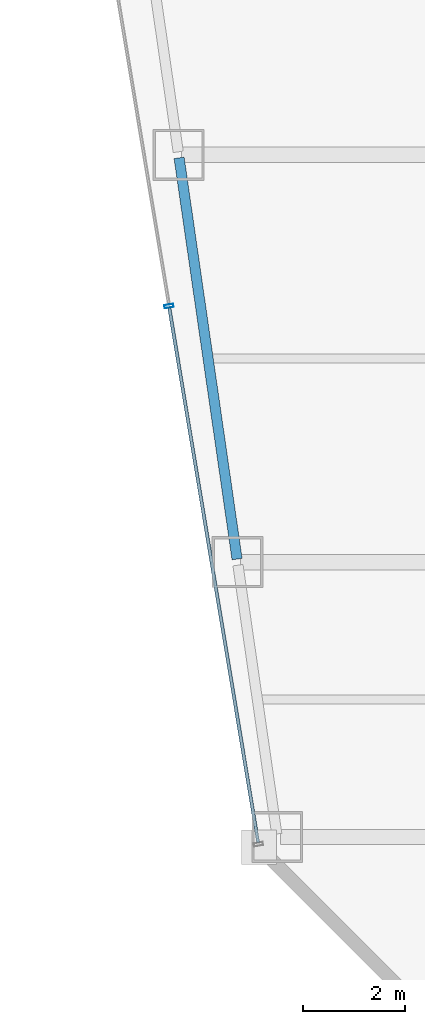
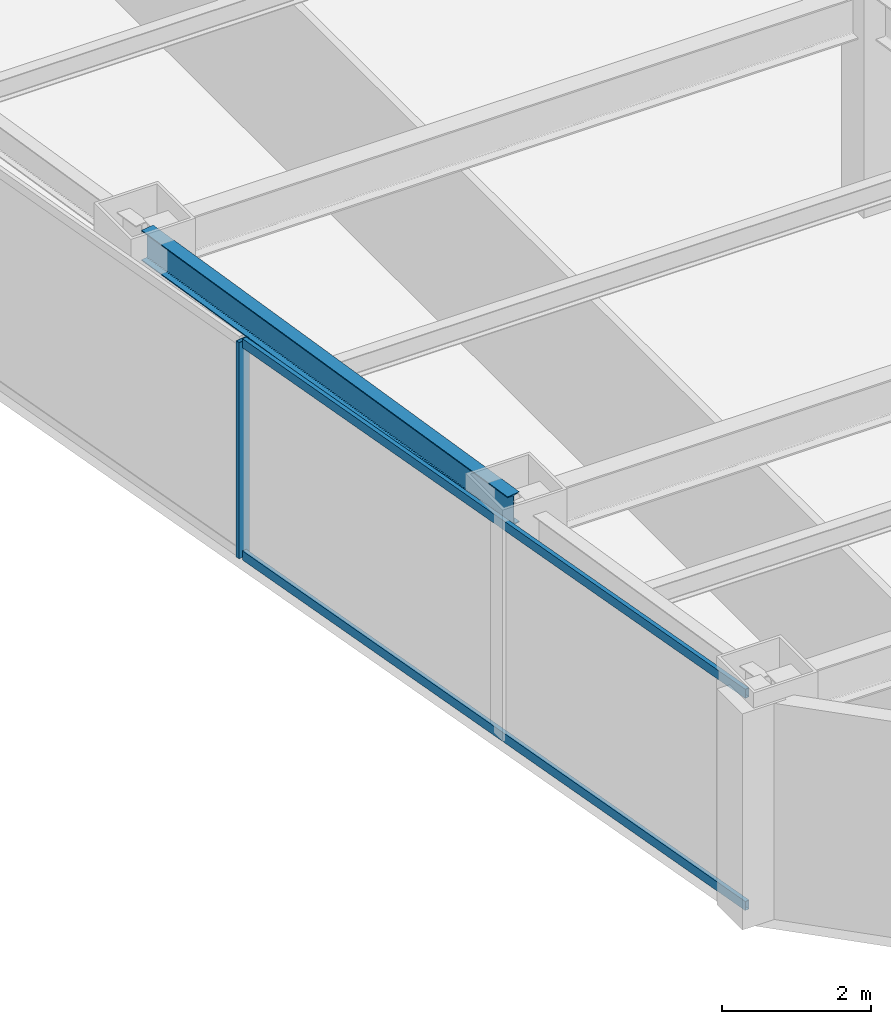
# One storey, part 3 of 36: 3 members, 1 beam, 1 element without a shape of its own.
"""IFC4 building model written with IfcOpenShell, lengths in metres."""

from ifc_helpers import new_model, si_unit, direction, frame, origin, origin_2d, place, context, subcontext, project, spatial, hollow_rectangle, i_section, extrude, material, material_profile, profile_set, type_object, element, aggregate, save


model = new_model("IFC4")

# Units and contexts
model_context = context("Model", 3, precision=1e-05, world=origin(), true_north=direction((0.0, 1.0)))
body_context = subcontext(model_context, "Body", "Model", "MODEL_VIEW")
ifc_project = project(units=[si_unit("LENGTHUNIT", "METRE"), si_unit("AREAUNIT", "SQUARE_METRE"), si_unit("VOLUMEUNIT", "CUBIC_METRE"), si_unit("PLANEANGLEUNIT", "RADIAN"), si_unit("MASSUNIT", "GRAM", prefix="KILO")], contexts=[model_context])

# Site, building, storey
site_placement = place(None, origin())
site = spatial("IfcSite", under=ifc_project, at=site_placement, CompositionType="ELEMENT")
building_placement = place(site_placement, origin())
building = spatial("IfcBuilding", under=site, at=building_placement, Name="Saevonmaru Cultural Tower", CompositionType="ELEMENT")
storey_placement = place(building_placement, frame((0.0, 0.0, 152.39990234375)))
storey = spatial("IfcBuildingStorey", under=building, at=storey_placement, Name="L33", CompositionType="ELEMENT", Elevation=152.39990234375)

# Beam
ifc_material_1 = material(Name="Steel SM355", Category="steel")
ifc_material_profile_1 = material_profile(ifc_material_1, i_section(OverallWidth=0.199951171875, OverallDepth=0.5, WebThickness=0.010009765625, FlangeThickness=0.01611328125, FilletRadius=0.02001953125, at=origin_2d()), Name="H-500x200x10x16")
ifc_profile_set_1 = profile_set([ifc_material_profile_1], Name="Steel SM355")
beam_type = type_object("IfcBeamType", Name="BM-SP-H500", PredefinedType="SPANDREL", material=ifc_profile_set_1)
beam_placement = place(storey_placement, frame((10.619384765625, 16.059326171875, 3.300048828125), z_axis=(-0.142992129437, 0.989723825579, 0.0), x_axis=(-0.989723825579, -0.142992129437, 0.0)))
element("IfcBeam", 1, at=beam_placement, inside=storey, type_object=beam_type, Name="L33 West Splayed Spandrel 2", PredefinedType="SPANDREL", context=body_context, shape_type="SweptSolid", body=[
    extrude(i_section(OverallWidth=0.199951171875, OverallDepth=0.5, WebThickness=0.010009765625, FlangeThickness=0.01611328125, FilletRadius=0.02001953125, at=origin_2d()), origin(), (0.0, 0.0, 1.0), 7.963134765625),
])

# Curtain wall, members
ifc_material_2 = material(Name="Satin Bronze Anodised Aluminium", Category="aluminium")
curtain_wall_type = type_object("IfcCurtainWallType", Name="CW-TYP-A", PredefinedType="NOTDEFINED", material=ifc_material_2)
curtain_wall_placement = place(storey_placement, origin())
curtain_wall = element("IfcCurtainWall", 2, at=curtain_wall_placement, inside=storey, type_object=curtain_wall_type, Name="L33 Unitised Curtain Wall E12", PredefinedType="NOTDEFINED")
ifc_material_profile_2 = material_profile(ifc_material_2, hollow_rectangle(XDim=0.06494140625, YDim=0.179931640625, WallThickness=0.00390625, at=origin_2d()), Name="ALU-MULL-180x65x4")
ifc_profile_set_2 = profile_set([ifc_material_profile_2], Name="Satin Bronze Anodised Aluminium")
member_type_1 = type_object("IfcMemberType", Name="ML-CW-180x65", PredefinedType="MULLION", material=ifc_profile_set_2)
member_1_placement = place(storey_placement, frame((9.28173828125, 21.029541015625, 0.0), z_axis=(0.0, 0.0, 1.0), x_axis=(0.163998702345, -0.986460554523, 0.0)))
member_1 = element("IfcMember", 3, at=member_1_placement, type_object=member_type_1, Name="CW-TW-L33-E12 mullion 4", PredefinedType="MULLION", context=body_context, shape_type="SweptSolid", body=[
    extrude(hollow_rectangle(XDim=0.06494140625, YDim=0.179931640625, WallThickness=0.00390625, at=origin_2d()), origin(), (0.0, 0.0, 1.0), 3.550048828125),
])
ifc_material_profile_3 = material_profile(ifc_material_2, hollow_rectangle(XDim=0.06494140625, YDim=0.14990234375, WallThickness=0.00390625, at=origin_2d()), Name="ALU-TRAN-150x65x4")
ifc_profile_set_3 = profile_set([ifc_material_profile_3], Name="Satin Bronze Anodised Aluminium")
member_type_2 = type_object("IfcMemberType", Name="TR-CW-150x65", PredefinedType="USERDEFINED", material=ifc_profile_set_3)
member_2_placement = place(storey_placement, frame((9.287109375, 20.99755859375, 0.03271484375), z_axis=(0.163990079074, -0.9864619881, 0.0), x_axis=(0.9864619881, 0.163990079074, 0.0)))
member_2 = element("IfcMember", 4, at=member_2_placement, type_object=member_type_2, Name="CW-TW-L33-E12 transom 4.1", ObjectType="TRANSOM", PredefinedType="USERDEFINED", context=body_context, shape_type="SweptSolid", body=[
    extrude(hollow_rectangle(XDim=0.06494140625, YDim=0.14990234375, WallThickness=0.00390625, at=origin_2d()), origin(), (0.0, 0.0, 1.0), 10.650634765625),
])
member_3_placement = place(storey_placement, frame((9.287109375, 20.99755859375, 3.517578125), z_axis=(0.163990079074, -0.9864619881, 0.0), x_axis=(0.9864619881, 0.163990079074, 0.0)))
member_3 = element("IfcMember", 5, at=member_3_placement, type_object=member_type_2, Name="CW-TW-L33-E12 transom 4.2", ObjectType="TRANSOM", PredefinedType="USERDEFINED", context=body_context, shape_type="SweptSolid", body=[
    extrude(hollow_rectangle(XDim=0.06494140625, YDim=0.14990234375, WallThickness=0.00390625, at=origin_2d()), origin(), (0.0, 0.0, 1.0), 10.650634765625),
])
aggregate(curtain_wall, [member_1, member_2, member_3])

save(model, "model.ifc")
